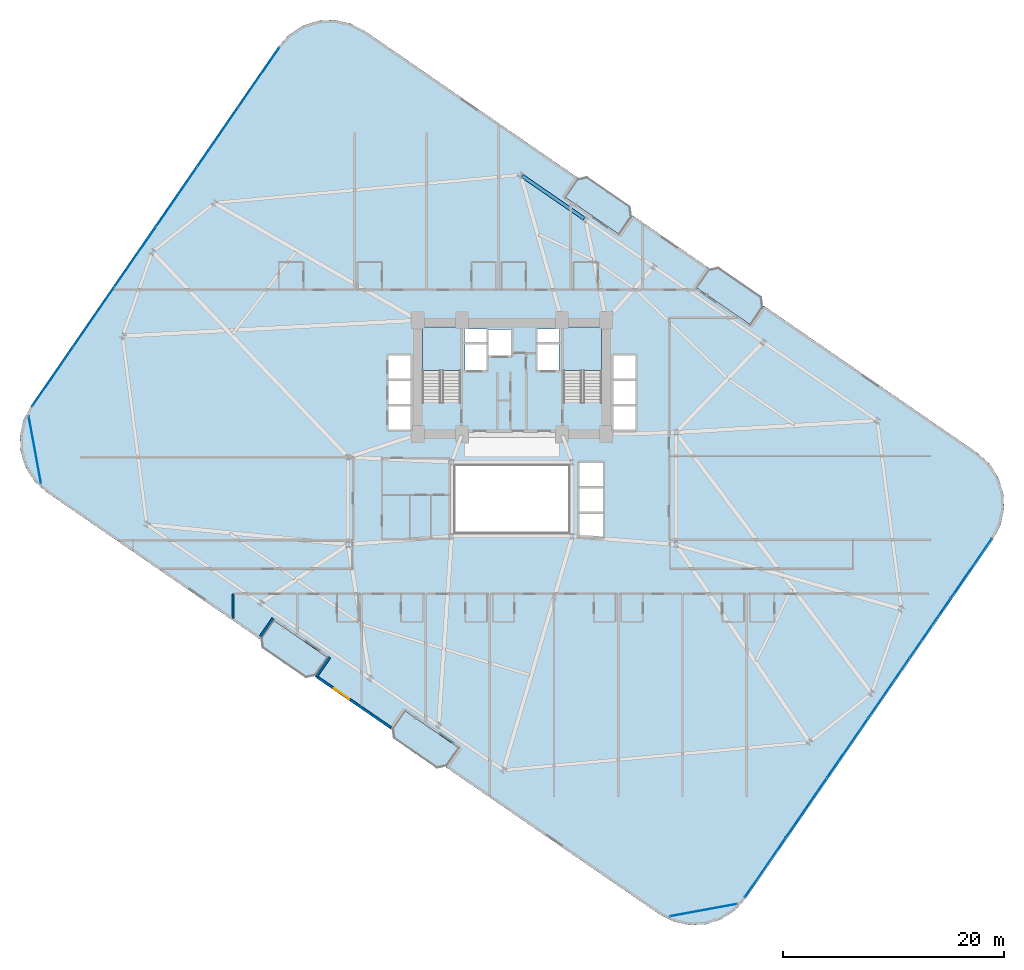
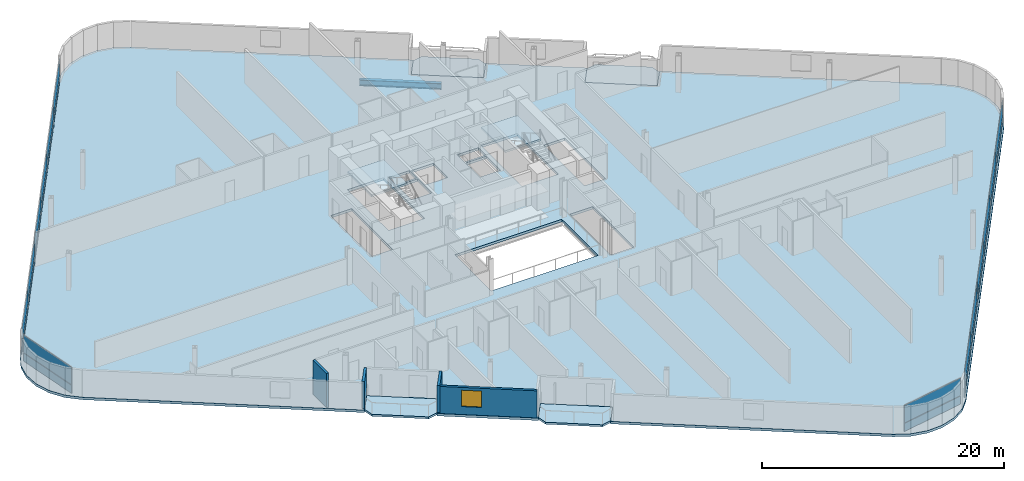
# One storey, part 18 of 27: 28 plates, 7 slabs, 4 walls, 1 beam, 1 window, 1 opening, 6 elements without a shape of their own.
"""IFC4 building model written with IfcOpenShell, lengths in metres."""

from ifc_helpers import new_model, si_unit, direction, frame, frame_2d, origin, origin_2d, place, context, subcontext, project, spatial, polyline, rectangle, i_section, outline, extrude, source, transform, mapped, material, layer, layer_set, material_profile, profile_set, type_object, element, fill, aggregate, save


model = new_model("IFC4")

# Units and contexts
model_context = context("Model", 3, precision=1e-05, world=origin(), true_north=direction((0.0, 1.0)))
body_context = subcontext(model_context, "Body", "Model", "MODEL_VIEW")
ifc_project = project(units=[si_unit("LENGTHUNIT", "METRE"), si_unit("AREAUNIT", "SQUARE_METRE"), si_unit("VOLUMEUNIT", "CUBIC_METRE"), si_unit("PLANEANGLEUNIT", "RADIAN"), si_unit("MASSUNIT", "GRAM", prefix="KILO")], contexts=[model_context])

# Site, building, storey
site_placement = place(None, origin())
site = spatial("IfcSite", under=ifc_project, at=site_placement, CompositionType="ELEMENT")
building_placement = place(site_placement, origin())
building = spatial("IfcBuilding", under=site, at=building_placement, Name="Varnelok Gate Tower", CompositionType="ELEMENT")
storey_placement = place(building_placement, frame((0.0, 0.0, 60.300048828125)))
storey = spatial("IfcBuildingStorey", under=building, at=storey_placement, Name="L14", CompositionType="ELEMENT", Elevation=60.300048828125)

# Beam
ifc_material_1 = material(Name="Structural Steel ASTM A992 Grade 50", Category="steel")
ifc_material_profile = material_profile(ifc_material_1, i_section(OverallWidth=0.323974609375, OverallDepth=0.611083984375, WebThickness=0.0126953125, FlangeThickness=0.01904296875, FilletRadius=0.01806640625, at=origin_2d()), Name="W24X104")
ifc_profile_set = profile_set([ifc_material_profile], Name="Structural Steel ASTM A992 Grade 50")
beam_type = type_object("IfcBeamType", Name="BM-SPN-W24X104", PredefinedType="SPANDREL", material=ifc_profile_set)
beam_placement = place(storey_placement, frame((45.708984375, 48.235107421875, -0.5556640625), z_axis=(-0.823553445566, 0.567238681947, 0.0), x_axis=(-0.567238681947, -0.823553445566, 0.0)))
element("IfcBeam", 1, at=beam_placement, inside=storey, type_object=beam_type, Name="L14 Perimeter Spandrel Beam 12", PredefinedType="SPANDREL", context=body_context, shape_type="SweptSolid", body=[
    extrude(i_section(OverallWidth=0.323974609375, OverallDepth=0.611083984375, WebThickness=0.0126953125, FlangeThickness=0.01904296875, FilletRadius=0.01806640625, at=origin_2d()), origin(), (0.0, 0.0, 1.0), 6.7998046875),
])

# Slabs
ifc_material_2 = material(Name="Concrete C45/55", Category="concrete")
ifc_layer_1 = layer(ifc_material_2, 0.199951171875)
ifc_layer_set_1 = layer_set([ifc_layer_1], Name="Concrete C45/55")
slab_type_1 = type_object("IfcSlabType", Name="SLB-BALC-200", PredefinedType="FLOOR", material=ifc_layer_set_1)
slab_1_placement = place(storey_placement, frame((0.0, 0.0, -0.199951171875)))
element("IfcSlab", 2, at=slab_1_placement, inside=storey, type_object=slab_type_1, Name="L14 South Hollow Balcony 1", PredefinedType="FLOOR", context=body_context, shape_type="SweptSolid", body=[
    extrude(outline(polyline([(16.5048828125, 10.3330078125), (16.67138671875, 9.42919921875), (20.5419921875, 6.762939453125), (21.446044921875, 6.929443359375), (22.58056640625, 8.57666015625), (17.639404296875, 11.980224609375), (16.5048828125, 10.3330078125)])), origin(), (0.0, 0.0, 1.0), 0.199951171875),
])
slab_2_placement = place(storey_placement, frame((0.0, 0.0, -0.199951171875)))
element("IfcSlab", 3, at=slab_2_placement, inside=storey, type_object=slab_type_1, Name="L14 South Hollow Balcony 2", PredefinedType="FLOOR", context=body_context, shape_type="SweptSolid", body=[
    extrude(outline(polyline([(28.36376953125, 2.164306640625), (28.5302734375, 1.260498046875), (32.40087890625, -1.40576171875), (33.304931640625, -1.2392578125), (34.439453125, 0.407958984375), (29.498291015625, 3.8115234375), (28.36376953125, 2.164306640625)])), origin(), (0.0, 0.0, 1.0), 0.199951171875),
])
slab_3_placement = place(storey_placement, frame((0.0, 0.0, -0.199951171875)))
element("IfcSlab", 4, at=slab_3_placement, inside=storey, type_object=slab_type_1, Name="L14 North Hollow Balcony 1", PredefinedType="FLOOR", context=body_context, shape_type="SweptSolid", body=[
    extrude(outline(polyline([(43.960693359375, 50.192138671875), (48.90185546875, 46.78857421875), (50.036376953125, 48.435546875), (49.869873046875, 49.339599609375), (45.999267578125, 52.005615234375), (45.09521484375, 51.839111328125), (43.960693359375, 50.192138671875)])), origin(), (0.0, 0.0, 1.0), 0.199951171875),
])
slab_4_placement = place(storey_placement, frame((0.0, 0.0, -0.199951171875)))
element("IfcSlab", 5, at=slab_4_placement, inside=storey, type_object=slab_type_1, Name="L14 North Hollow Balcony 2", PredefinedType="FLOOR", context=body_context, shape_type="SweptSolid", body=[
    extrude(outline(polyline([(55.819580078125, 42.0234375), (60.7607421875, 38.619873046875), (61.895263671875, 40.266845703125), (61.728515625, 41.1708984375), (57.85791015625, 43.837158203125), (56.9541015625, 43.67041015625), (55.819580078125, 42.0234375)])), origin(), (0.0, 0.0, 1.0), 0.199951171875),
])

# Stair, slab
ifc_material_3 = material(Name="Concrete C50/60", Category="concrete")
stair_type = type_object("IfcStairType", Name="STR-CORE-1650", PredefinedType="HALF_TURN_STAIR", material=ifc_material_3)
stair_1_placement = place(storey_placement, origin())
stair_1 = element("IfcStair", 6, at=stair_1_placement, inside=storey, type_object=stair_type, Name="L14 Exit Stair ST-1", PredefinedType="HALF_TURN_STAIR")
ifc_layer_2 = layer(ifc_material_2, 0.199951171875)
ifc_layer_set_2 = layer_set([ifc_layer_2], Name="Concrete C45/55")
slab_type_2 = type_object("IfcSlabType", Name="SLB-LAND-200", PredefinedType="LANDING", material=ifc_layer_set_2)
slab_5_placement = place(storey_placement, frame((0.0, 0.0, 1.64990234375)))
slab_5 = element("IfcSlab", 7, at=slab_5_placement, type_object=slab_type_2, Name="ST-1 landing 1", PredefinedType="LANDING", context=body_context, shape_type="SweptSolid", body=[
    extrude(outline(polyline([(34.550048828125, 34.5), (34.550048828125, 38.449951171875), (31.10009765625, 38.449951171875), (31.10009765625, 34.5), (34.550048828125, 34.5)])), origin(), (0.0, 0.0, 1.0), 0.199951171875),
])
aggregate(stair_1, [slab_5])

stair_2_placement = place(storey_placement, origin())
stair_2 = element("IfcStair", 8, at=stair_2_placement, inside=storey, type_object=stair_type, Name="L14 Exit Stair ST-2", PredefinedType="HALF_TURN_STAIR")
slab_6_placement = place(storey_placement, frame((0.0, 0.0, 1.64990234375)))
slab_6 = element("IfcSlab", 9, at=slab_6_placement, type_object=slab_type_2, Name="ST-2 landing 1", PredefinedType="LANDING", context=body_context, shape_type="SweptSolid", body=[
    extrude(outline(polyline([(47.300048828125, 34.5), (47.300048828125, 38.449951171875), (43.85009765625, 38.449951171875), (43.85009765625, 34.5), (47.300048828125, 34.5)])), origin(), (0.0, 0.0, 1.0), 0.199951171875),
])
aggregate(stair_2, [slab_6])

# Slab
ifc_layer_3 = layer(ifc_material_3, 0.25)
ifc_layer_set_3 = layer_set([ifc_layer_3], Name="Concrete C50/60")
slab_type_3 = type_object("IfcSlabType", Name="SLB-TYP-250", PredefinedType="FLOOR", material=ifc_layer_set_3)
slab_7_placement = place(storey_placement, frame((0.0, 0.0, -0.25)))
element("IfcSlab", 10, at=slab_7_placement, inside=storey, type_object=slab_type_3, Name="L14 Structural Floor Slab", PredefinedType="FLOOR", context=body_context, shape_type="SweptSolid", body=[
    extrude(outline(polyline([(-4.2578125, 31.3134765625), (-4.922607421875, 30.011474609375), (-5.22802734375, 28.581787109375), (-5.1533203125, 27.121826171875), (-4.702880859375, 25.731201171875), (-3.907958984375, 24.504150390625), (-2.822509765625, 23.52490234375), (7.7734375, 16.22607421875), (16.447998046875, 10.250732421875), (17.639404296875, 11.980224609375), (22.58056640625, 8.57666015625), (21.389404296875, 6.84716796875), (28.306884765625, 2.08203125), (29.498291015625, 3.8115234375), (34.439453125, 0.407958984375), (33.248046875, -1.321533203125), (41.922607421875, -7.296875), (52.518798828125, -14.595703125), (53.82080078125, -15.2607421875), (55.250244140625, -15.566162109375), (56.710205078125, -15.4912109375), (58.10107421875, -15.040771484375), (59.327880859375, -14.245849609375), (60.307373046875, -13.160400390625), (82.65771484375, 19.28662109375), (83.32275390625, 20.58837890625), (83.628173828125, 22.018310546875), (83.55322265625, 23.47802734375), (83.102783203125, 24.868896484375), (82.30810546875, 26.095703125), (81.22265625, 27.0751953125), (70.62646484375, 34.3740234375), (61.951904296875, 40.34912109375), (60.7607421875, 38.619873046875), (55.819580078125, 42.0234375), (57.0107421875, 43.752685546875), (50.093017578125, 48.517822265625), (48.90185546875, 46.78857421875), (43.960693359375, 50.192138671875), (45.15185546875, 51.92138671875), (36.477294921875, 57.896728515625), (25.881103515625, 65.195556640625), (24.579345703125, 65.860595703125), (23.149658203125, 66.166015625), (21.689697265625, 66.091064453125), (20.299072265625, 65.640869140625), (19.072021484375, 64.845947265625), (18.0927734375, 63.760498046875), (-4.2578125, 31.3134765625)]), holes=[polyline([(34.550048828125, 31.679931640625), (34.550048828125, 38.449951171875), (31.10009765625, 38.449951171875), (31.10009765625, 31.679931640625), (34.550048828125, 31.679931640625)]), polyline([(47.300048828125, 31.679931640625), (47.300048828125, 38.449951171875), (43.85009765625, 38.449951171875), (43.85009765625, 31.679931640625), (47.300048828125, 31.679931640625)]), polyline([(34.949951171875, 34.550048828125), (36.89990234375, 34.550048828125), (36.89990234375, 36.89990234375), (34.949951171875, 36.89990234375), (34.949951171875, 34.550048828125)]), polyline([(41.5, 34.550048828125), (43.449951171875, 34.550048828125), (43.449951171875, 36.89990234375), (41.5, 36.89990234375), (41.5, 34.550048828125)]), polyline([(37.050048828125, 35.85009765625), (39.14990234375, 35.85009765625), (39.14990234375, 38.199951171875), (37.050048828125, 38.199951171875), (37.050048828125, 35.85009765625)]), polyline([(28.050048828125, 29.14990234375), (30.050048828125, 29.14990234375), (30.050048828125, 35.89990234375), (28.050048828125, 35.89990234375), (28.050048828125, 29.14990234375)]), polyline([(48.35009765625, 29.14990234375), (50.35009765625, 29.14990234375), (50.35009765625, 35.89990234375), (48.35009765625, 35.89990234375), (48.35009765625, 29.14990234375)]), polyline([(45.25, 19.449951171875), (47.449951171875, 19.449951171875), (47.449951171875, 26.199951171875), (45.25, 26.199951171875), (45.25, 19.449951171875)]), polyline([(34.919921875, 37.080078125), (36.89990234375, 37.080078125), (36.89990234375, 38.280029296875), (34.919921875, 38.280029296875), (34.919921875, 37.080078125)]), polyline([(41.5, 37.080078125), (43.47998046875, 37.080078125), (43.47998046875, 38.280029296875), (41.5, 38.280029296875), (41.5, 37.080078125)]), polyline([(34.10009765625, 19.89990234375), (44.300048828125, 19.89990234375), (44.300048828125, 25.89990234375), (34.10009765625, 25.89990234375), (34.10009765625, 19.89990234375)])]), origin(), (0.0, 0.0, 1.0), 0.25),
])

# Curtain wall, plates
ifc_material_4 = material(Name="Anodized Aluminum Alloy 6063-T6", Category="aluminium")
ifc_layer_4 = layer(ifc_material_4, 0.179931640625)
ifc_layer_set_4 = layer_set([ifc_layer_4], Name="Anodized Aluminum Alloy 6063-T6")
curtain_wall_type_1 = type_object("IfcCurtainWallType", Name="CW3-HOTEL-VISION", PredefinedType="USERDEFINED", material=ifc_layer_set_4)
curtain_wall_1_placement = place(storey_placement, origin())
curtain_wall_1 = element("IfcCurtainWall", 11, at=curtain_wall_1_placement, inside=storey, type_object=curtain_wall_type_1, Name="L14 West End Vision Curtain Wall", ObjectType="UNITISED CURTAIN WALL", PredefinedType="USERDEFINED")
ifc_material_5 = material(Name="Low-E Laminated Double Glazing IGU", Category="glass")
ifc_layer_5 = layer(ifc_material_5, 0.031982421875)
ifc_layer_set_5 = layer_set([ifc_layer_5], Name="Low-E Laminated Double Glazing IGU")
plate_type_1 = type_object("IfcPlateType", Name="CW-PNL-IGU32", PredefinedType="CURTAIN_PANEL", material=ifc_layer_set_5)
shared_shape_1 = source(origin(), body_context, "Body", "SweptSolid", [
    extrude(rectangle(XDim=6.46923828125, YDim=0.031982421875, at=origin_2d()), origin(), (0.0, 0.0, 1.0), 0.802490234375),
])
plate_1_placement = place(storey_placement, frame((-2.270751953125, 33.951171875, 0.06494140625), z_axis=(0.0, 0.0, 1.0), x_axis=(0.567268822124, 0.823532685111, 0.0)))
plate_1 = element("IfcPlate", 12, at=plate_1_placement, type_object=plate_type_1, Name="CW3 panel 1.1", PredefinedType="CURTAIN_PANEL", context=body_context, shape_type="MappedRepresentation", body=[
    mapped(shared_shape_1, transform((0.0, 0.0, 0.0), scale=1.0)),
])
plate_2_placement = place(storey_placement, frame((16.336181640625, 60.9638671875, 0.06494140625), z_axis=(0.0, 0.0, 1.0), x_axis=(0.567268822124, 0.823532685111, 0.0)))
plate_2 = element("IfcPlate", 13, at=plate_2_placement, type_object=plate_type_1, Name="CW3 panel 6.1", PredefinedType="CURTAIN_PANEL", context=body_context, shape_type="MappedRepresentation", body=[
    mapped(shared_shape_1, transform((0.0, 0.0, 0.0), scale=1.0)),
])

curtain_wall_2_placement = place(storey_placement, origin())
curtain_wall_2 = element("IfcCurtainWall", 14, at=curtain_wall_2_placement, inside=storey, type_object=curtain_wall_type_1, Name="L14 East End Vision Curtain Wall", ObjectType="UNITISED CURTAIN WALL", PredefinedType="USERDEFINED")
plate_3_placement = place(storey_placement, frame((80.670654296875, 16.648681640625, 0.06494140625), z_axis=(0.0, 0.0, 1.0), x_axis=(-0.567268822124, -0.823532685111, 0.0)))
plate_3 = element("IfcPlate", 15, at=plate_3_placement, type_object=plate_type_1, Name="CW3 panel 1.1", PredefinedType="CURTAIN_PANEL", context=body_context, shape_type="MappedRepresentation", body=[
    mapped(shared_shape_1, transform((0.0, 0.0, 0.0), scale=1.0)),
])
plate_4_placement = place(storey_placement, frame((62.063720703125, -10.36376953125, 0.06494140625), z_axis=(0.0, 0.0, 1.0), x_axis=(-0.567268822124, -0.823532685111, 0.0)))
plate_4 = element("IfcPlate", 16, at=plate_4_placement, type_object=plate_type_1, Name="CW3 panel 6.1", PredefinedType="CURTAIN_PANEL", context=body_context, shape_type="MappedRepresentation", body=[
    mapped(shared_shape_1, transform((0.0, 0.0, 0.0), scale=1.0)),
])

# Plate
shared_shape_2 = source(origin(), body_context, "Body", "SweptSolid", [
    extrude(rectangle(XDim=6.46923828125, YDim=0.031982421875, at=origin_2d()), origin(), (0.0, 0.0, 1.0), 1.732421875),
])
plate_5_placement = place(storey_placement, frame((-2.270751953125, 33.951171875, 0.932373046875), z_axis=(0.0, 0.0, 1.0), x_axis=(0.567268822124, 0.823532685111, 0.0)))
plate_5 = element("IfcPlate", 17, at=plate_5_placement, type_object=plate_type_1, Name="CW3 panel 1.2", PredefinedType="CURTAIN_PANEL", context=body_context, shape_type="MappedRepresentation", body=[
    mapped(shared_shape_2, transform((0.0, 0.0, 0.0), scale=1.0)),
])

plate_6_placement = place(storey_placement, frame((16.336181640625, 60.9638671875, 0.932373046875), z_axis=(0.0, 0.0, 1.0), x_axis=(0.567268822124, 0.823532685111, 0.0)))
plate_6 = element("IfcPlate", 18, at=plate_6_placement, type_object=plate_type_1, Name="CW3 panel 6.2", PredefinedType="CURTAIN_PANEL", context=body_context, shape_type="MappedRepresentation", body=[
    mapped(shared_shape_2, transform((0.0, 0.0, 0.0), scale=1.0)),
])

plate_7_placement = place(storey_placement, frame((80.670654296875, 16.648681640625, 0.932373046875), z_axis=(0.0, 0.0, 1.0), x_axis=(-0.567268822124, -0.823532685111, 0.0)))
plate_7 = element("IfcPlate", 19, at=plate_7_placement, type_object=plate_type_1, Name="CW3 panel 1.2", PredefinedType="CURTAIN_PANEL", context=body_context, shape_type="MappedRepresentation", body=[
    mapped(shared_shape_2, transform((0.0, 0.0, 0.0), scale=1.0)),
])

plate_8_placement = place(storey_placement, frame((62.063720703125, -10.36376953125, 0.932373046875), z_axis=(0.0, 0.0, 1.0), x_axis=(-0.567268822124, -0.823532685111, 0.0)))
plate_8 = element("IfcPlate", 20, at=plate_8_placement, type_object=plate_type_1, Name="CW3 panel 6.2", PredefinedType="CURTAIN_PANEL", context=body_context, shape_type="MappedRepresentation", body=[
    mapped(shared_shape_2, transform((0.0, 0.0, 0.0), scale=1.0)),
])

shared_shape_3 = source(origin(), body_context, "Body", "SweptSolid", [
    extrude(rectangle(XDim=6.501708984375, YDim=0.031982421875, at=origin_2d()), origin(), (0.0, 0.0, 1.0), 0.802490234375),
])
plate_9_placement = place(storey_placement, frame((1.4453125, 39.345703125, 0.06494140625), z_axis=(0.0, 0.0, 1.0), x_axis=(0.567268822124, 0.823532685111, 0.0)))
plate_9 = element("IfcPlate", 21, at=plate_9_placement, type_object=plate_type_1, Name="CW3 panel 2.1", PredefinedType="CURTAIN_PANEL", context=body_context, shape_type="MappedRepresentation", body=[
    mapped(shared_shape_3, transform((0.0, 0.0, 0.0), scale=1.0)),
])

plate_10_placement = place(storey_placement, frame((5.170166015625, 44.753662109375, 0.06494140625), z_axis=(0.0, 0.0, 1.0), x_axis=(0.567268822124, 0.823532685111, 0.0)))
plate_10 = element("IfcPlate", 22, at=plate_10_placement, type_object=plate_type_1, Name="CW3 panel 3.1", PredefinedType="CURTAIN_PANEL", context=body_context, shape_type="MappedRepresentation", body=[
    mapped(shared_shape_3, transform((0.0, 0.0, 0.0), scale=1.0)),
])

plate_11_placement = place(storey_placement, frame((8.895263671875, 50.161376953125, 0.06494140625), z_axis=(0.0, 0.0, 1.0), x_axis=(0.567268822124, 0.823532685111, 0.0)))
plate_11 = element("IfcPlate", 23, at=plate_11_placement, type_object=plate_type_1, Name="CW3 panel 4.1", PredefinedType="CURTAIN_PANEL", context=body_context, shape_type="MappedRepresentation", body=[
    mapped(shared_shape_3, transform((0.0, 0.0, 0.0), scale=1.0)),
])

plate_12_placement = place(storey_placement, frame((12.620361328125, 55.5693359375, 0.06494140625), z_axis=(0.0, 0.0, 1.0), x_axis=(0.567268822124, 0.823532685111, 0.0)))
plate_12 = element("IfcPlate", 24, at=plate_12_placement, type_object=plate_type_1, Name="CW3 panel 5.1", PredefinedType="CURTAIN_PANEL", context=body_context, shape_type="MappedRepresentation", body=[
    mapped(shared_shape_3, transform((0.0, 0.0, 0.0), scale=1.0)),
])

plate_13_placement = place(storey_placement, frame((76.954833984375, 11.25439453125, 0.06494140625), z_axis=(0.0, 0.0, 1.0), x_axis=(-0.567268822124, -0.823532685111, 0.0)))
plate_13 = element("IfcPlate", 25, at=plate_13_placement, type_object=plate_type_1, Name="CW3 panel 2.1", PredefinedType="CURTAIN_PANEL", context=body_context, shape_type="MappedRepresentation", body=[
    mapped(shared_shape_3, transform((0.0, 0.0, 0.0), scale=1.0)),
])

plate_14_placement = place(storey_placement, frame((73.229736328125, 5.846435546875, 0.06494140625), z_axis=(0.0, 0.0, 1.0), x_axis=(-0.567268822124, -0.823532685111, 0.0)))
plate_14 = element("IfcPlate", 26, at=plate_14_placement, type_object=plate_type_1, Name="CW3 panel 3.1", PredefinedType="CURTAIN_PANEL", context=body_context, shape_type="MappedRepresentation", body=[
    mapped(shared_shape_3, transform((0.0, 0.0, 0.0), scale=1.0)),
])

plate_15_placement = place(storey_placement, frame((69.504638671875, 0.4384765625, 0.06494140625), z_axis=(0.0, 0.0, 1.0), x_axis=(-0.567268822124, -0.823532685111, 0.0)))
plate_15 = element("IfcPlate", 27, at=plate_15_placement, type_object=plate_type_1, Name="CW3 panel 4.1", PredefinedType="CURTAIN_PANEL", context=body_context, shape_type="MappedRepresentation", body=[
    mapped(shared_shape_3, transform((0.0, 0.0, 0.0), scale=1.0)),
])

plate_16_placement = place(storey_placement, frame((65.779541015625, -4.96923828125, 0.06494140625), z_axis=(0.0, 0.0, 1.0), x_axis=(-0.567268822124, -0.823532685111, 0.0)))
plate_16 = element("IfcPlate", 28, at=plate_16_placement, type_object=plate_type_1, Name="CW3 panel 5.1", PredefinedType="CURTAIN_PANEL", context=body_context, shape_type="MappedRepresentation", body=[
    mapped(shared_shape_3, transform((0.0, 0.0, 0.0), scale=1.0)),
])

shared_shape_4 = source(origin(), body_context, "Body", "SweptSolid", [
    extrude(rectangle(XDim=6.501708984375, YDim=0.031982421875, at=origin_2d()), origin(), (0.0, 0.0, 1.0), 1.732421875),
])
plate_17_placement = place(storey_placement, frame((1.4453125, 39.345703125, 0.932373046875), z_axis=(0.0, 0.0, 1.0), x_axis=(0.567268822124, 0.823532685111, 0.0)))
plate_17 = element("IfcPlate", 29, at=plate_17_placement, type_object=plate_type_1, Name="CW3 panel 2.2", PredefinedType="CURTAIN_PANEL", context=body_context, shape_type="MappedRepresentation", body=[
    mapped(shared_shape_4, transform((0.0, 0.0, 0.0), scale=1.0)),
])

plate_18_placement = place(storey_placement, frame((5.170166015625, 44.753662109375, 0.932373046875), z_axis=(0.0, 0.0, 1.0), x_axis=(0.567268822124, 0.823532685111, 0.0)))
plate_18 = element("IfcPlate", 30, at=plate_18_placement, type_object=plate_type_1, Name="CW3 panel 3.2", PredefinedType="CURTAIN_PANEL", context=body_context, shape_type="MappedRepresentation", body=[
    mapped(shared_shape_4, transform((0.0, 0.0, 0.0), scale=1.0)),
])

plate_19_placement = place(storey_placement, frame((8.895263671875, 50.161376953125, 0.932373046875), z_axis=(0.0, 0.0, 1.0), x_axis=(0.567268822124, 0.823532685111, 0.0)))
plate_19 = element("IfcPlate", 31, at=plate_19_placement, type_object=plate_type_1, Name="CW3 panel 4.2", PredefinedType="CURTAIN_PANEL", context=body_context, shape_type="MappedRepresentation", body=[
    mapped(shared_shape_4, transform((0.0, 0.0, 0.0), scale=1.0)),
])

plate_20_placement = place(storey_placement, frame((12.620361328125, 55.5693359375, 0.932373046875), z_axis=(0.0, 0.0, 1.0), x_axis=(0.567268822124, 0.823532685111, 0.0)))
plate_20 = element("IfcPlate", 32, at=plate_20_placement, type_object=plate_type_1, Name="CW3 panel 5.2", PredefinedType="CURTAIN_PANEL", context=body_context, shape_type="MappedRepresentation", body=[
    mapped(shared_shape_4, transform((0.0, 0.0, 0.0), scale=1.0)),
])

aggregate(curtain_wall_1, [plate_1, plate_5, plate_9, plate_17, plate_10, plate_18, plate_11, plate_19, plate_12, plate_20, plate_2, plate_6])

plate_21_placement = place(storey_placement, frame((76.954833984375, 11.25439453125, 0.932373046875), z_axis=(0.0, 0.0, 1.0), x_axis=(-0.567268822124, -0.823532685111, 0.0)))
plate_21 = element("IfcPlate", 33, at=plate_21_placement, type_object=plate_type_1, Name="CW3 panel 2.2", PredefinedType="CURTAIN_PANEL", context=body_context, shape_type="MappedRepresentation", body=[
    mapped(shared_shape_4, transform((0.0, 0.0, 0.0), scale=1.0)),
])

plate_22_placement = place(storey_placement, frame((73.229736328125, 5.846435546875, 0.932373046875), z_axis=(0.0, 0.0, 1.0), x_axis=(-0.567268822124, -0.823532685111, 0.0)))
plate_22 = element("IfcPlate", 34, at=plate_22_placement, type_object=plate_type_1, Name="CW3 panel 3.2", PredefinedType="CURTAIN_PANEL", context=body_context, shape_type="MappedRepresentation", body=[
    mapped(shared_shape_4, transform((0.0, 0.0, 0.0), scale=1.0)),
])

plate_23_placement = place(storey_placement, frame((69.504638671875, 0.4384765625, 0.932373046875), z_axis=(0.0, 0.0, 1.0), x_axis=(-0.567268822124, -0.823532685111, 0.0)))
plate_23 = element("IfcPlate", 35, at=plate_23_placement, type_object=plate_type_1, Name="CW3 panel 4.2", PredefinedType="CURTAIN_PANEL", context=body_context, shape_type="MappedRepresentation", body=[
    mapped(shared_shape_4, transform((0.0, 0.0, 0.0), scale=1.0)),
])

plate_24_placement = place(storey_placement, frame((65.779541015625, -4.96923828125, 0.932373046875), z_axis=(0.0, 0.0, 1.0), x_axis=(-0.567268822124, -0.823532685111, 0.0)))
plate_24 = element("IfcPlate", 36, at=plate_24_placement, type_object=plate_type_1, Name="CW3 panel 5.2", PredefinedType="CURTAIN_PANEL", context=body_context, shape_type="MappedRepresentation", body=[
    mapped(shared_shape_4, transform((0.0, 0.0, 0.0), scale=1.0)),
])

aggregate(curtain_wall_2, [plate_3, plate_7, plate_13, plate_21, plate_14, plate_22, plate_15, plate_23, plate_16, plate_24, plate_4, plate_8])

# Curtain wall, plate
ifc_layer_6 = layer(ifc_material_4, 0.179931640625)
ifc_layer_set_6 = layer_set([ifc_layer_6], Name="Anodized Aluminum Alloy 6063-T6")
curtain_wall_type_2 = type_object("IfcCurtainWallType", Name="CW5-WINDCORNER-GLAZ", PredefinedType="USERDEFINED", material=ifc_layer_set_6)
curtain_wall_3_placement = place(storey_placement, origin())
curtain_wall_3 = element("IfcCurtainWall", 37, at=curtain_wall_3_placement, inside=storey, type_object=curtain_wall_type_2, Name="L14 Wind-Shaped Corner Curtain Wall SW", ObjectType="STRUCTURAL GLAZING", PredefinedType="USERDEFINED")
ifc_layer_7 = layer(ifc_material_5, 0.0419921875)
ifc_layer_set_7 = layer_set([ifc_layer_7], Name="Low-E Laminated Double Glazing IGU")
plate_type_2 = type_object("IfcPlateType", Name="CW-PNL-SPN42", PredefinedType="CURTAIN_PANEL", material=ifc_layer_set_7)
shared_shape_5 = source(origin(), body_context, "Body", "SweptSolid", [
    extrude(rectangle(XDim=6.106689453125, YDim=0.0419921875, at=origin_2d()), origin(), (0.0, 0.0, 1.0), 0.802490234375),
])
plate_25_placement = place(storey_placement, frame((-3.880859375, 27.356201171875, 0.06494140625), z_axis=(0.0, 0.0, 1.0), x_axis=(0.181203239917, -0.983445670001, 0.0)))
plate_25 = element("IfcPlate", 38, at=plate_25_placement, type_object=plate_type_2, Name="CW5 panel 1.1", PredefinedType="CURTAIN_PANEL", context=body_context, shape_type="MappedRepresentation", body=[
    mapped(shared_shape_5, transform((0.0, 0.0, 0.0), scale=1.0)),
])

curtain_wall_4_placement = place(storey_placement, origin())
curtain_wall_4 = element("IfcCurtainWall", 39, at=curtain_wall_4_placement, inside=storey, type_object=curtain_wall_type_2, Name="L14 Wind-Shaped Corner Curtain Wall SE", ObjectType="STRUCTURAL GLAZING", PredefinedType="USERDEFINED")
plate_26_placement = place(storey_placement, frame((56.475830078125, -14.21875, 0.06494140625), z_axis=(0.0, 0.0, 1.0), x_axis=(0.983445670001, 0.181203239917, 0.0)))
plate_26 = element("IfcPlate", 40, at=plate_26_placement, type_object=plate_type_2, Name="CW5 panel 1.1", PredefinedType="CURTAIN_PANEL", context=body_context, shape_type="MappedRepresentation", body=[
    mapped(shared_shape_5, transform((0.0, 0.0, 0.0), scale=1.0)),
])

# Plate
shared_shape_6 = source(origin(), body_context, "Body", "SweptSolid", [
    extrude(rectangle(XDim=6.106689453125, YDim=0.0419921875, at=origin_2d()), origin(), (0.0, 0.0, 1.0), 1.732421875),
])
plate_27_placement = place(storey_placement, frame((-3.880859375, 27.356201171875, 0.932373046875), z_axis=(0.0, 0.0, 1.0), x_axis=(0.181203239917, -0.983445670001, 0.0)))
plate_27 = element("IfcPlate", 41, at=plate_27_placement, type_object=plate_type_2, Name="CW5 panel 1.2", PredefinedType="CURTAIN_PANEL", context=body_context, shape_type="MappedRepresentation", body=[
    mapped(shared_shape_6, transform((0.0, 0.0, 0.0), scale=1.0)),
])

aggregate(curtain_wall_3, [plate_25, plate_27])

plate_28_placement = place(storey_placement, frame((56.475830078125, -14.21875, 0.932373046875), z_axis=(0.0, 0.0, 1.0), x_axis=(0.983445670001, 0.181203239917, 0.0)))
plate_28 = element("IfcPlate", 42, at=plate_28_placement, type_object=plate_type_2, Name="CW5 panel 1.2", PredefinedType="CURTAIN_PANEL", context=body_context, shape_type="MappedRepresentation", body=[
    mapped(shared_shape_6, transform((0.0, 0.0, 0.0), scale=1.0)),
])

aggregate(curtain_wall_4, [plate_26, plate_28])

# Walls
ifc_layer_8 = layer(ifc_material_2, 0.219970703125)
ifc_layer_set_8 = layer_set([ifc_layer_8], Name="Concrete C45/55")
wall_type_1 = type_object("IfcWallType", Name="EW-BALC-220", PredefinedType="SOLIDWALL", material=ifc_layer_set_8)
wall_1_placement = place(storey_placement, frame((16.48828125, 10.5205078125, 0.0), z_axis=(0.0, 0.0, 1.0), x_axis=(0.567131976434, 0.823626930902, 0.0)))
element("IfcWall", 43, at=wall_1_placement, inside=storey, type_object=wall_type_1, Name="L14 Perimeter Facade Closure Wall 8", PredefinedType="SOLIDWALL", context=body_context, shape_type="SweptSolid", body=[
    extrude(rectangle(XDim=1.97509765625, YDim=0.219970703125, at=frame_2d((0.987548828125, 0.0))), origin(), (0.0, 0.0, 1.0), 2.72998046875),
])
wall_2_placement = place(storey_placement, frame((22.747314453125, 8.607421875, 0.0), z_axis=(0.0, 0.0, 1.0), x_axis=(-0.567219383419, -0.823566737474, 0.0)))
element("IfcWall", 44, at=wall_2_placement, inside=storey, type_object=wall_type_1, Name="L14 Perimeter Facade Closure Wall 9", PredefinedType="SOLIDWALL", context=body_context, shape_type="SweptSolid", body=[
    extrude(rectangle(XDim=2.10009765625, YDim=0.219970703125, at=frame_2d((1.050048828125, 0.0))), origin(), (0.0, 0.0, 1.0), 2.72998046875),
])

# Wall, opening, window
wall_3_placement = place(storey_placement, frame((21.6591796875, 6.806884765625, 0.0), z_axis=(0.0, 0.0, 1.0), x_axis=(0.823535360023, -0.567264938799, 0.0)))
wall_3 = element("IfcWall", 45, at=wall_3_placement, inside=storey, type_object=wall_type_1, Name="L14 Perimeter Facade Closure Wall 10", PredefinedType="SOLIDWALL", context=body_context, shape_type="SweptSolid", body=[
    extrude(rectangle(XDim=8.034912109375, YDim=0.219970703125, at=frame_2d((4.017578125, 0.0))), origin(), (0.0, 0.0, 1.0), 2.72998046875),
])
opening_placement = place(wall_3_placement, frame((1.787841796875, 0.0, 0.800048828125)))
opening = element("IfcOpeningElement", 46, at=opening_placement, cuts=wall_3, Name="Opening WN3", PredefinedType="OPENING", context=body_context, shape_type="SweptSolid", body=[
    extrude(rectangle(XDim=1.64990234375, YDim=1.64990234375, at=frame_2d((0.824951171875, 0.824951171875))), frame((0.0, 0.119873046875, 0.0), z_axis=(0.0, -1.0, 0.0), x_axis=(1.0, 0.0, 0.0)), (0.0, 0.0, 1.0), 0.239990234375),
])
window_type = type_object("IfcWindowType", Name="WN-HTL-1650", PartitioningType="SINGLE_PANEL", PredefinedType="WINDOW", material=ifc_material_5)
window_placement = place(opening_placement, origin())
window = element("IfcWindow", 47, at=window_placement, inside=storey, type_object=window_type, Name="L14 Perimeter Vision Window 10", OverallHeight=1.64990234375, OverallWidth=1.64990234375, PartitioningType="SINGLE_PANEL", PredefinedType="WINDOW", context=body_context, shape_type="SweptSolid", body=[
    extrude(rectangle(XDim=1.64990234375, YDim=1.64990234375, at=frame_2d((0.824951171875, 0.824951171875))), frame((0.0, 0.030029296875, 0.0), z_axis=(0.0, -1.0, 0.0), x_axis=(1.0, 0.0, 0.0)), (0.0, 0.0, 1.0), 0.06005859375),
])
fill(opening, window)

# Wall
ifc_material_6 = material(Name="Gypsum Plasterboard Acoustic Partition", Category="gypsum")
ifc_layer_9 = layer(ifc_material_6, 0.205078125)
ifc_layer_set_9 = layer_set([ifc_layer_9], Name="Gypsum Plasterboard Acoustic Partition")
wall_type_2 = type_object("IfcWallType", Name="PW-PARTY-200", PredefinedType="PARTITIONING", material=ifc_layer_set_9)
wall_4_placement = place(storey_placement, frame((14.0, 12.107177734375, 0.0), z_axis=(0.0, 0.0, 1.0), x_axis=(0.0, 1.0, 0.0)))
element("IfcWall", 48, at=wall_4_placement, inside=storey, type_object=wall_type_2, Name="L14 South Party Wall 1", PredefinedType="PARTITIONING", context=body_context, shape_type="SweptSolid", body=[
    extrude(rectangle(XDim=2.242919921875, YDim=0.205078125, at=frame_2d((1.12158203125, 0.0))), origin(), (0.0, 0.0, 1.0), 3.449951171875),
])

save(model, "model.ifc")
